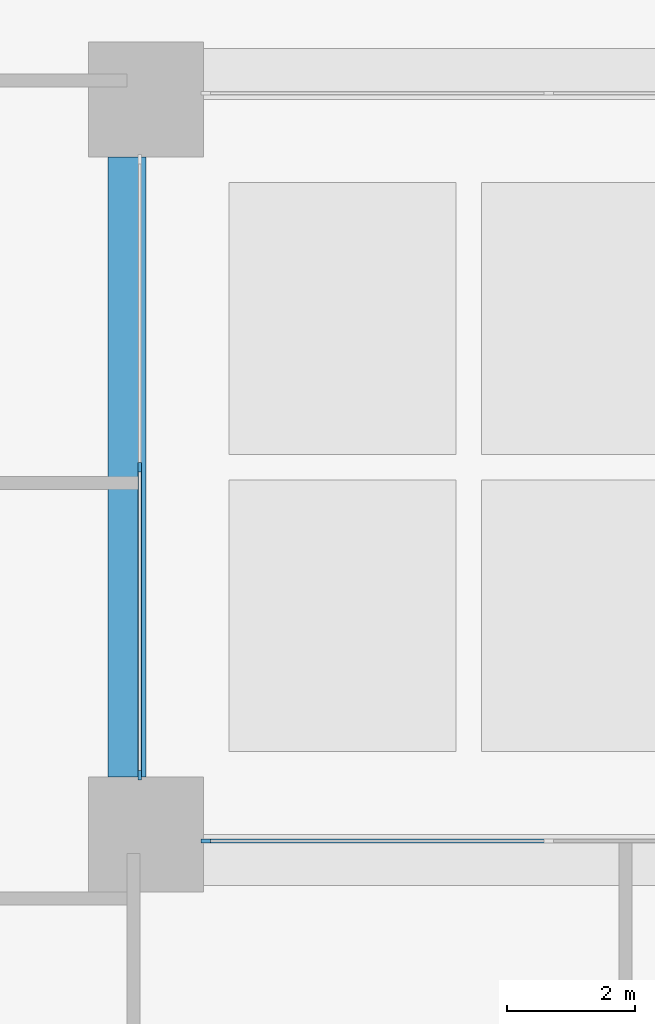
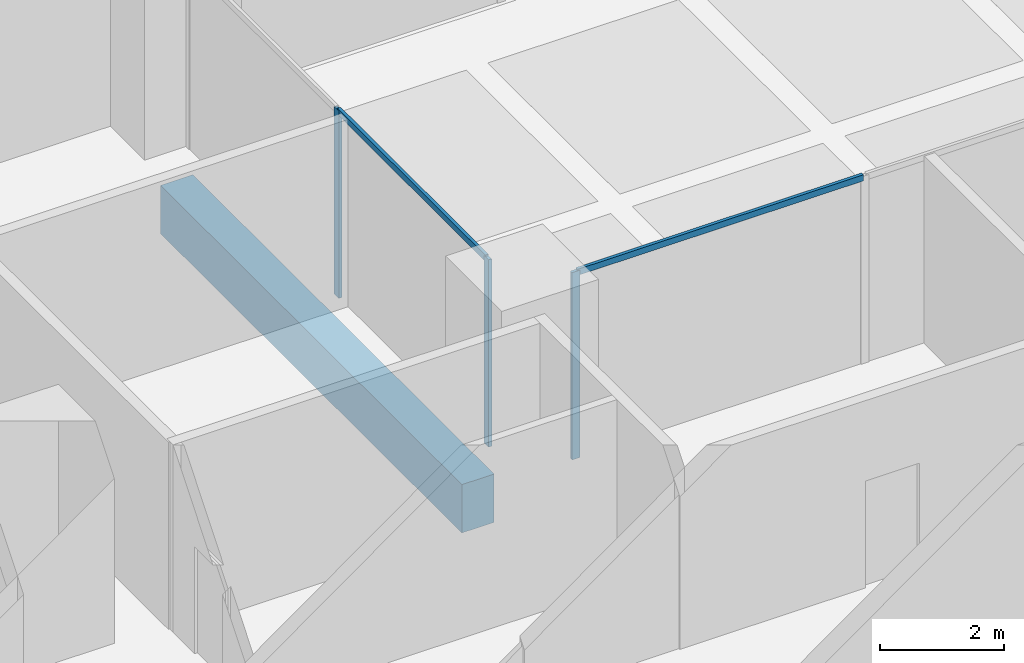
# One storey, part 3 of 24: 5 members, 1 beam, 2 elements without a shape of their own.
"""IFC4 building model written with IfcOpenShell, lengths in metres."""

from ifc_helpers import new_model, si_unit, direction, frame, origin, origin_2d, place, context, subcontext, project, spatial, rectangle, extrude, material, layer, layer_set, material_profile, profile_set, type_object, element, aggregate, save


model = new_model("IFC4")

# Units and contexts
model_context = context("Model", 3, precision=1e-05, world=origin(), true_north=direction((0.0, 1.0)))
body_context = subcontext(model_context, "Body", "Model", "MODEL_VIEW")
ifc_project = project(units=[si_unit("LENGTHUNIT", "METRE"), si_unit("AREAUNIT", "SQUARE_METRE"), si_unit("VOLUMEUNIT", "CUBIC_METRE"), si_unit("PLANEANGLEUNIT", "RADIAN"), si_unit("MASSUNIT", "GRAM", prefix="KILO")], contexts=[model_context])

# Site, building, storey
site_placement = place(None, origin())
site = spatial("IfcSite", under=ifc_project, at=site_placement, CompositionType="ELEMENT")
building_placement = place(site_placement, origin())
building = spatial("IfcBuilding", under=site, at=building_placement, Name="Brigalow Station Residences", CompositionType="ELEMENT")
storey_placement = place(building_placement, frame((0.0, 0.0, 15.5)))
storey = spatial("IfcBuildingStorey", under=building, at=storey_placement, Name="L03", CompositionType="ELEMENT", Elevation=15.5)

# Beam
ifc_material_1 = material(Name="Concrete C65", Category="concrete")
ifc_material_profile_1 = material_profile(ifc_material_1, rectangle(XDim=0.60009765625, YDim=0.949951171875, at=origin_2d()), Name="RC600x950")
ifc_profile_set_1 = profile_set([ifc_material_profile_1], Name="Concrete C65")
beam_type = type_object("IfcBeamType", Name="ATRIUM EDGE GIRDER 600x950 C65", PredefinedType="BEAM", material=ifc_profile_set_1)
beam_placement = place(storey_placement, frame((26.699951171875, 24.89990234375, -1.074951171875), z_axis=(0.0, 1.0, 0.0), x_axis=(-1.0, 0.0, 0.0)))
element("IfcBeam", 1, at=beam_placement, inside=storey, type_object=beam_type, Name="ATRIUM EDGE GIRDER 3 L03", PredefinedType="BEAM", context=body_context, shape_type="SweptSolid", body=[
    extrude(rectangle(XDim=0.60009765625, YDim=0.949951171875, at=origin_2d()), origin(), (0.0, 0.0, 1.0), 9.7001953125),
])

# Curtain wall, member
ifc_material_2 = material(Name="Aluminium", Category="aluminium")
ifc_layer = layer(ifc_material_2, 0.14990234375)
ifc_layer_set = layer_set([ifc_layer], Name="ATRIUM FIRE-RATED GLAZING CURTAIN WALL")
curtain_wall_type = type_object("IfcCurtainWallType", Name="ATRIUM FIRE-RATED GLAZING CURTAIN WALL", PredefinedType="NOTDEFINED", material=ifc_layer_set)
curtain_wall_1_placement = place(storey_placement, origin())
curtain_wall_1 = element("IfcCurtainWall", 2, at=curtain_wall_1_placement, inside=storey, type_object=curtain_wall_type, Name="L03/cw/atrium-S", PredefinedType="NOTDEFINED")
ifc_material_3 = material(Name="Aluminium", Category="aluminium")
ifc_material_profile_2 = material_profile(ifc_material_3, rectangle(XDim=0.06005859375, YDim=0.14990234375, at=origin_2d()), Name="ATRIUM FIRE-RATED GLAZING MULLION 60x150")
ifc_profile_set_2 = profile_set([ifc_material_profile_2], Name="Aluminium")
member_type_1 = type_object("IfcMemberType", Name="ATRIUM FIRE-RATED GLAZING MULLION 60x150", PredefinedType="MULLION", material=ifc_profile_set_2)
member_1_placement = place(storey_placement, frame((27.929931640625, 23.89990234375, 0.0), z_axis=(0.0, 0.0, 1.0), x_axis=(0.0, 1.0, 0.0)))
member_1 = element("IfcMember", 3, at=member_1_placement, type_object=member_type_1, Name="L03/cw/atrium-S/M00", PredefinedType="MULLION", context=body_context, shape_type="SweptSolid", body=[
    extrude(rectangle(XDim=0.06005859375, YDim=0.14990234375, at=origin_2d()), origin(), (0.0, 0.0, 1.0), 3.679931640625),
])

# Curtain wall, members
curtain_wall_2_placement = place(storey_placement, origin())
curtain_wall_2 = element("IfcCurtainWall", 4, at=curtain_wall_2_placement, inside=storey, type_object=curtain_wall_type, Name="L03/cw/atrium-W", PredefinedType="NOTDEFINED")
member_2_placement = place(storey_placement, frame((26.89990234375, 29.75, 0.0), z_axis=(0.0, 0.0, 1.0), x_axis=(1.0, 0.0, 0.0)))
member_2 = element("IfcMember", 5, at=member_2_placement, type_object=member_type_1, Name="L03/cw/atrium-W/M01", PredefinedType="MULLION", context=body_context, shape_type="SweptSolid", body=[
    extrude(rectangle(XDim=0.06005859375, YDim=0.14990234375, at=origin_2d()), origin(), (0.0, 0.0, 1.0), 3.679931640625),
])
member_3_placement = place(storey_placement, frame((26.89990234375, 24.929931640625, 0.0), z_axis=(0.0, 0.0, 1.0), x_axis=(1.0, 0.0, 0.0)))
member_3 = element("IfcMember", 6, at=member_3_placement, type_object=member_type_1, Name="L03/cw/atrium-W/M02", PredefinedType="MULLION", context=body_context, shape_type="SweptSolid", body=[
    extrude(rectangle(XDim=0.06005859375, YDim=0.14990234375, at=origin_2d()), origin(), (0.0, 0.0, 1.0), 3.679931640625),
])

# Member
ifc_material_4 = material(Name="Aluminium", Category="aluminium")
ifc_material_profile_3 = material_profile(ifc_material_4, rectangle(XDim=0.06005859375, YDim=0.1201171875, at=origin_2d()), Name="ATRIUM FIRE-RATED GLAZING TRANSOM 60x120")
ifc_profile_set_3 = profile_set([ifc_material_profile_3], Name="Aluminium")
member_type_2 = type_object("IfcMemberType", Name="ATRIUM FIRE-RATED GLAZING TRANSOM 60x120", PredefinedType="USERDEFINED", material=ifc_profile_set_3)
member_4_placement = place(storey_placement, frame((27.9599609375, 23.89990234375, 3.64990234375), z_axis=(1.0, 0.0, 0.0), x_axis=(0.0, 1.0, 0.0)))
member_4 = element("IfcMember", 7, at=member_4_placement, type_object=member_type_2, Name="L03/cw/atrium-S/T00-00", ObjectType="TRANSOM", PredefinedType="USERDEFINED", context=body_context, shape_type="SweptSolid", body=[
    extrude(rectangle(XDim=0.06005859375, YDim=0.1201171875, at=origin_2d()), origin(), (0.0, 0.0, 1.0), 5.31005859375),
])

aggregate(curtain_wall_1, [member_1, member_4])

member_5_placement = place(storey_placement, frame((26.89990234375, 29.719970703125, 3.64990234375), z_axis=(0.0, -1.0, 0.0), x_axis=(1.0, 0.0, 0.0)))
member_5 = element("IfcMember", 8, at=member_5_placement, type_object=member_type_2, Name="L03/cw/atrium-W/T01-00", ObjectType="TRANSOM", PredefinedType="USERDEFINED", context=body_context, shape_type="SweptSolid", body=[
    extrude(rectangle(XDim=0.06005859375, YDim=0.1201171875, at=origin_2d()), origin(), (0.0, 0.0, 1.0), 4.760009765625),
])

aggregate(curtain_wall_2, [member_2, member_3, member_5])

save(model, "model.ifc")
